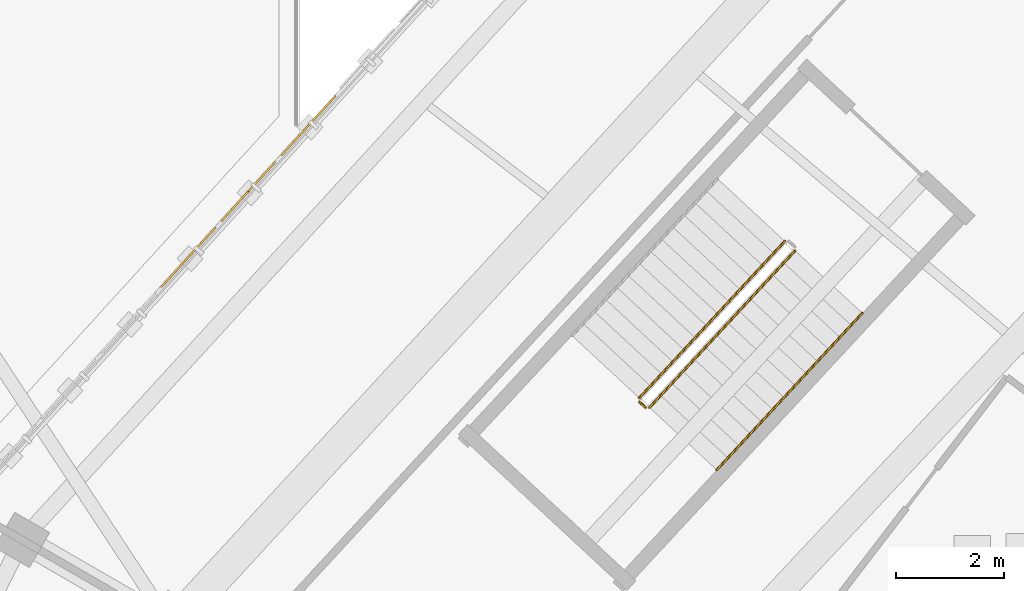
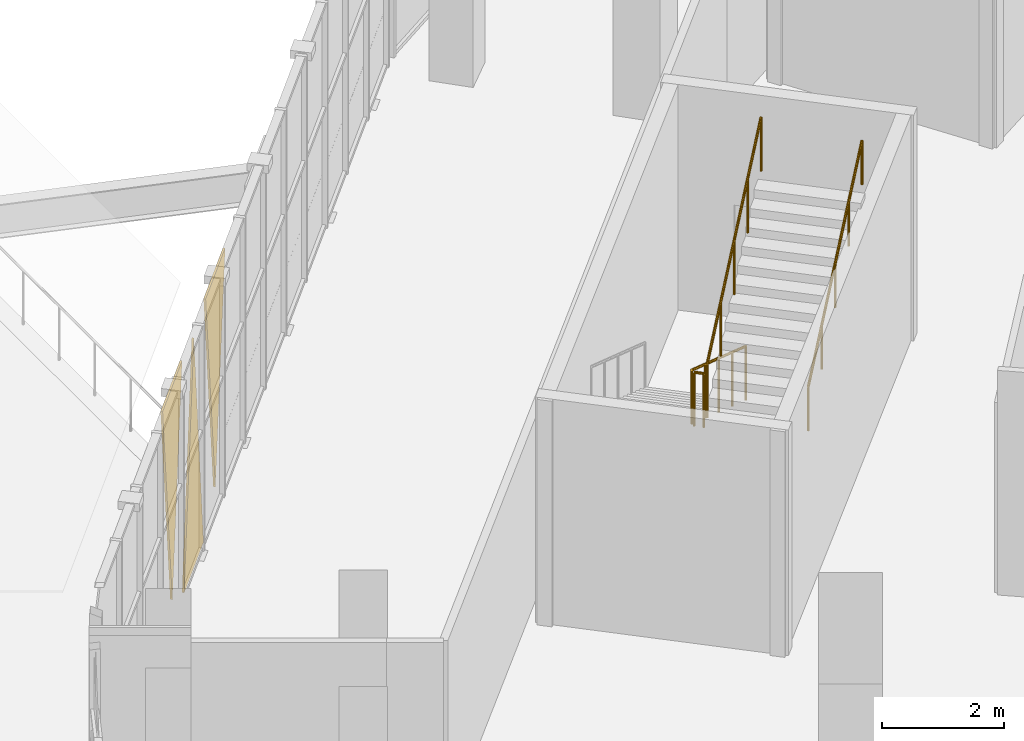
# One storey, part 158 of 183: 4 railings, 3 coverings.
"""IFC4 building model written with IfcOpenShell, lengths in metres."""

from ifc_helpers import new_model, si_unit, direction, frame, origin, origin_2d, place, context, subcontext, project, spatial, polyline, circle, outline, extrude, material, layer, layer_set, type_object, element, save


model = new_model("IFC4")

# Units and contexts
model_context = context("Model", 3, precision=1e-05, world=origin(), true_north=direction((0.0, 1.0)))
body_context = subcontext(model_context, "Body", "Model", "MODEL_VIEW")
ifc_project = project(units=[si_unit("LENGTHUNIT", "METRE"), si_unit("AREAUNIT", "SQUARE_METRE"), si_unit("VOLUMEUNIT", "CUBIC_METRE"), si_unit("PLANEANGLEUNIT", "RADIAN"), si_unit("MASSUNIT", "GRAM", prefix="KILO")], contexts=[model_context])

# Site, building, storey
site_placement = place(None, origin())
site = spatial("IfcSite", under=ifc_project, at=site_placement, CompositionType="ELEMENT")
building_placement = place(site_placement, origin())
building = spatial("IfcBuilding", under=site, at=building_placement, Name="Zevraka Park Crest Stadium", CompositionType="ELEMENT")
storey_placement = place(building_placement, frame((0.0, 0.0, 5.39990234375)))
storey = spatial("IfcBuildingStorey", under=building, at=storey_placement, Name="L01", CompositionType="ELEMENT", Elevation=5.39990234375)

# Coverings
ifc_material_1 = material(Name="Architectural golden-bronze perforated aluminium", Category="aluminium")
ifc_layer = layer(ifc_material_1, 0.034912109375)
ifc_layer_set = layer_set([ifc_layer], Name="Architectural golden-bronze perforated aluminium")
covering_type = type_object("IfcCoveringType", Name="CLD01", PredefinedType="CLADDING", material=ifc_layer_set)
covering_1_placement = place(storey_placement, frame((35.819091796875, 138.39208984375, 4.5), z_axis=(-0.738857539661, 0.673861651506, 0.000103516595), x_axis=(0.673861655116, 0.73885754362, 0.0)))
element("IfcCovering", 1, at=covering_1_placement, inside=storey, type_object=covering_type, Name="Triangular Golden-Bronze Perforated Cladding L01-09-8", PredefinedType="CLADDING", context=body_context, shape_type="SweptSolid", body=[
    extrude(outline(polyline([(0.0, 0.0), (1.491230143265371, 0.0), (0.7453762301926408, 4.279785179180417), (0.0, 0.0)])), origin(), (0.0, 0.0, -1.0), 0.034912109375),
])
covering_2_placement = place(storey_placement, frame((35.7109375, 138.27392578125, -0.260009765625), z_axis=(-0.739183652813, 0.673503917653, 1.7872411e-05), x_axis=(-0.673503917761, -0.739183652931, 0.0)))
element("IfcCovering", 2, at=covering_2_placement, inside=storey, type_object=covering_type, Name="Triangular Golden-Bronze Perforated Cladding L01-09-9", PredefinedType="CLADDING", context=body_context, shape_type="SweptSolid", body=[
    extrude(outline(polyline([(0.0, 0.0), (1.4905722498806995, 0.0), (0.745376357319858, 4.600097656984689), (0.0, 0.0)])), origin(), (0.0, 0.0, -1.0), 0.034912109375),
])
covering_3_placement = place(storey_placement, frame((33.594970703125, 135.951904296875, 4.5), z_axis=(-0.739176409064, 0.67351186763, 2.1083183e-05), x_axis=(0.67351186778, 0.739176409229, 0.0)))
element("IfcCovering", 3, at=covering_3_placement, inside=storey, type_object=covering_type, Name="Triangular Golden-Bronze Perforated Cladding L01-09-10", PredefinedType="CLADDING", context=body_context, shape_type="SweptSolid", body=[
    extrude(outline(polyline([(0.0, 0.0), (1.4909171443933684, 0.0), (0.7453763563925119, 4.279785157201184), (0.0, 0.0)])), origin(), (0.0, 0.0, -1.0), 0.034912109375),
])

# Railings
ifc_material_2 = material(Name="Powder-coated tubular steel stairwell guard", Category="steel")
railing_type_1 = type_object("IfcRailingType", Name="GR03", PredefinedType="GUARDRAIL", material=ifc_material_2)
railing_1_placement = place(storey_placement, frame((45.1650390625, 136.787109375, 0.171630859375)))
element("IfcRailing", 4, at=railing_1_placement, inside=storey, type_object=railing_type_1, Name="L01 ST10 stair guard 1", PredefinedType="GUARDRAIL", context=body_context, shape_type="SweptSolid", body=[
    extrude(circle(Radius=0.02392578125, at=origin_2d()), frame((0.0, 0.0, 1.076171875), z_axis=(-0.593016024023, -0.638962957094, 0.489957482557), x_axis=(0.732968909084, -0.680262139412, 0.0)), (0.0, 0.0, 1.0), 4.54833984375),
    extrude(circle(Radius=0.02099609375, at=origin_2d()), origin(), (0.0, 0.0, 1.0), 1.052001953125),
    extrude(circle(Radius=0.02099609375, at=origin_2d()), frame((-0.67431640625, -0.7265625, 0.55712890625)), (0.0, 0.0, 1.0), 1.052001953125),
    extrude(circle(Radius=0.02099609375, at=origin_2d()), frame((-1.3486328125, -1.453125, 1.1142578125)), (0.0, 0.0, 1.0), 1.052001953125),
    extrude(circle(Radius=0.02099609375, at=origin_2d()), frame((-2.02294921875, -2.1796875, 1.67138671875)), (0.0, 0.0, 1.0), 1.052001953125),
    extrude(circle(Radius=0.02099609375, at=origin_2d()), frame((-2.697265625, -2.90625, 2.228515625)), (0.0, 0.0, 1.0), 1.052001953125),
])
railing_2_placement = place(storey_placement, frame((42.470458984375, 133.810302734375, 2.400146484375)))
element("IfcRailing", 5, at=railing_2_placement, inside=storey, type_object=railing_type_1, Name="L01 ST10 stair guard 2", PredefinedType="GUARDRAIL", context=body_context, shape_type="SweptSolid", body=[
    extrude(circle(Radius=0.02392578125, at=origin_2d()), frame((0.0, 0.0, 1.076171875), z_axis=(0.732576022975, -0.680685221348, 0.0), x_axis=(0.680685221348, 0.732576022975, 0.0)), (0.0, 0.0, 1.0), 0.159912109375),
    extrude(circle(Radius=0.02099609375, at=origin_2d()), origin(), (0.0, 0.0, 1.0), 1.052001953125),
    extrude(circle(Radius=0.02099609375, at=origin_2d()), frame((0.1171875, -0.10888671875, 0.0)), (0.0, 0.0, 1.0), 1.052001953125),
])
railing_3_placement = place(storey_placement, frame((42.658447265625, 133.7041015625, 2.571533203125)))
element("IfcRailing", 6, at=railing_3_placement, inside=storey, type_object=railing_type_1, Name="L01 ST10 stair guard 3", PredefinedType="GUARDRAIL", context=body_context, shape_type="SweptSolid", body=[
    extrude(circle(Radius=0.02392578125, at=origin_2d()), frame((0.0, 0.0, 1.076171875), z_axis=(0.593016024023, 0.638962957094, 0.489957482557), x_axis=(-0.732968909084, 0.680262139412, 0.0)), (0.0, 0.0, 1.0), 4.54833984375),
    extrude(circle(Radius=0.02099609375, at=origin_2d()), origin(), (0.0, 0.0, 1.0), 1.052001953125),
    extrude(circle(Radius=0.02099609375, at=origin_2d()), frame((0.67431640625, 0.7265625, 0.55712890625)), (0.0, 0.0, 1.0), 1.052001953125),
    extrude(circle(Radius=0.02099609375, at=origin_2d()), frame((1.3486328125, 1.453125, 1.1142578125)), (0.0, 0.0, 1.0), 1.052001953125),
    extrude(circle(Radius=0.02099609375, at=origin_2d()), frame((2.02294921875, 2.1796875, 1.67138671875)), (0.0, 0.0, 1.0), 1.052001953125),
    extrude(circle(Radius=0.02099609375, at=origin_2d()), frame((2.697265625, 2.90625, 2.228515625)), (0.0, 0.0, 1.0), 1.052001953125),
])
ifc_material_3 = material(Name="Brushed stainless steel continuous handrail", Category="steel")
railing_type_2 = type_object("IfcRailingType", Name="HR01", PredefinedType="HANDRAIL", material=ifc_material_3)
railing_4_placement = place(storey_placement, frame((43.904541015625, 132.547607421875, 2.571533203125)))
element("IfcRailing", 7, at=railing_4_placement, inside=storey, type_object=railing_type_2, Name="L01 ST10 stair handrail 2", PredefinedType="HANDRAIL", context=body_context, shape_type="SweptSolid", body=[
    extrude(circle(Radius=0.02392578125, at=origin_2d()), frame((0.0, 0.0, 0.8759765625), z_axis=(0.593016024023, 0.638962957094, 0.489957482557), x_axis=(-0.732968909084, 0.680262139412, 0.0)), (0.0, 0.0, 1.0), 4.54833984375),
    extrude(circle(Radius=0.02099609375, at=origin_2d()), origin(), (0.0, 0.0, 1.0), 0.851806640625),
    extrude(circle(Radius=0.02099609375, at=origin_2d()), frame((0.67431640625, 0.7265625, 0.55712890625)), (0.0, 0.0, 1.0), 0.851806640625),
    extrude(circle(Radius=0.02099609375, at=origin_2d()), frame((1.3486328125, 1.453125, 1.1142578125)), (0.0, 0.0, 1.0), 0.851806640625),
    extrude(circle(Radius=0.02099609375, at=origin_2d()), frame((2.02294921875, 2.1796875, 1.67138671875)), (0.0, 0.0, 1.0), 0.851806640625),
    extrude(circle(Radius=0.02099609375, at=origin_2d()), frame((2.697265625, 2.90625, 2.228515625)), (0.0, 0.0, 1.0), 0.851806640625),
])

save(model, "model.ifc")
